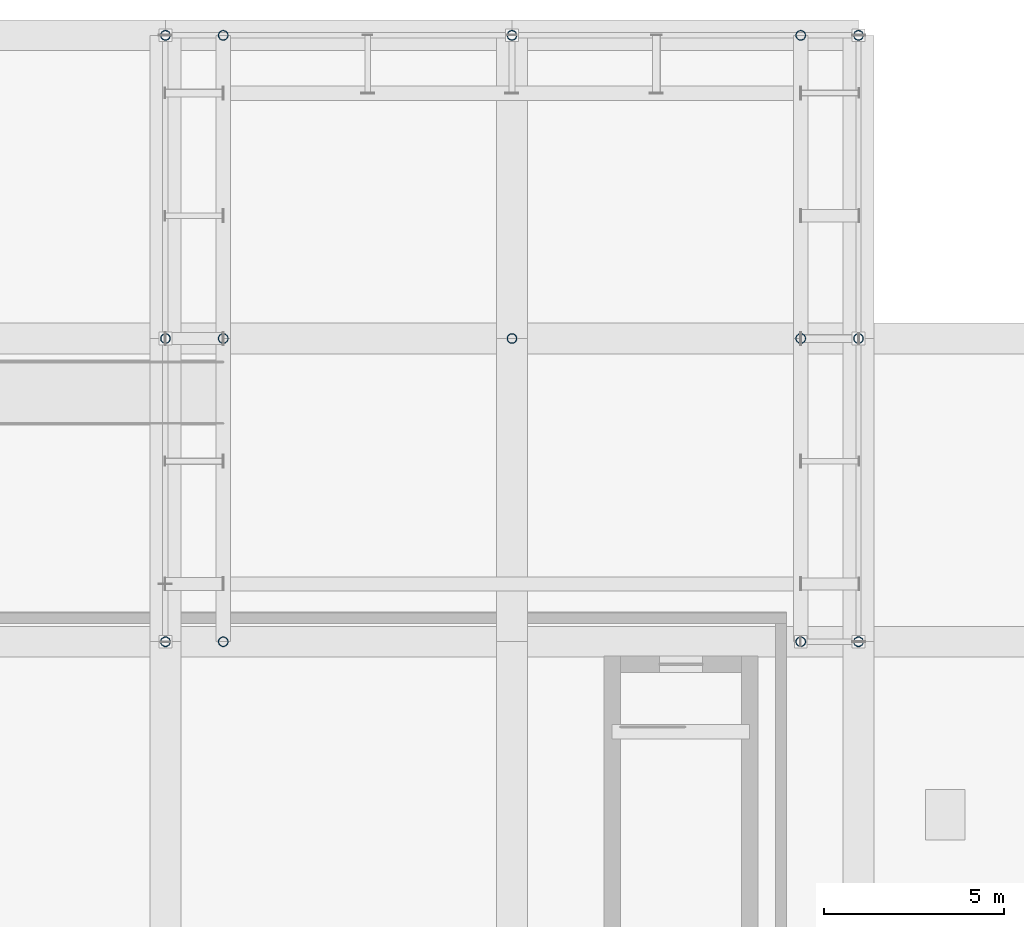
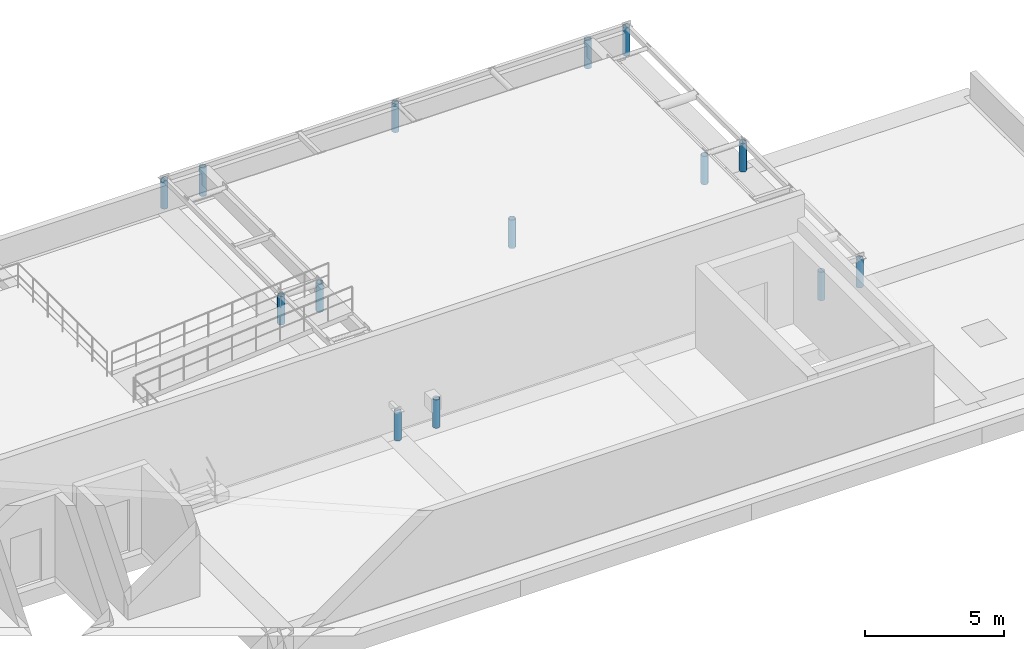
# One storey, part 2 of 8: 14 columns.
"""IFC4 building model written with IfcOpenShell, lengths in metres."""

from ifc_helpers import new_model, si_unit, direction, frame, origin, origin_2d, place, context, subcontext, project, spatial, hollow_circle, extrude, material, material_profile, profile_set, type_object, element, save


model = new_model("IFC4")

# Units and contexts
model_context = context("Model", 3, precision=1e-05, world=origin(), true_north=direction((0.0, 1.0)))
body_context = subcontext(model_context, "Body", "Model", "MODEL_VIEW")
ifc_project = project(units=[si_unit("LENGTHUNIT", "METRE"), si_unit("AREAUNIT", "SQUARE_METRE"), si_unit("VOLUMEUNIT", "CUBIC_METRE"), si_unit("PLANEANGLEUNIT", "RADIAN"), si_unit("MASSUNIT", "GRAM", prefix="KILO")], contexts=[model_context])

# Site, building, storey
site_placement = place(None, origin())
site = spatial("IfcSite", under=ifc_project, at=site_placement, CompositionType="ELEMENT")
building_placement = place(site_placement, origin())
building = spatial("IfcBuilding", under=site, at=building_placement, Name="Oolite Switchyard Hospital", CompositionType="ELEMENT")
storey_placement = place(building_placement, frame((0.0, 0.0, 34.60009765625)))
storey = spatial("IfcBuildingStorey", under=building, at=storey_placement, Name="RF", CompositionType="ELEMENT", Elevation=34.60009765625)

# Columns
ifc_material = material(Name="Steel ASTM A500 Grade C", Category="steel")
ifc_material_profile = material_profile(ifc_material, hollow_circle(Radius=0.136474609375, WallThickness=0.012939453125, at=origin_2d()), Name="HSS273X13")
ifc_profile_set = profile_set([ifc_material_profile], Name="Steel ASTM A500 Grade C")
column_type = type_object("IfcColumnType", Name="COL-CHS273", PredefinedType="COLUMN", material=ifc_profile_set)
for number, where, z_axis, x_axis, name in (
    (1, (182.39990234375, 117.60009765625, 0.0), (0.0, 0.0, 1.0), (1.0, 0.0, 0.0), "RF Helipad Support Post 1"),
    (2, (184.0, 117.60009765625, 0.0), (0.0, 0.0, 1.0), (1.0, 0.0, 0.0), "RF Helipad Support Post 2"),
    (3, (200.0, 117.60009765625, 0.0), (0.0, 0.0, 1.0), (1.0, 0.0, 0.0), "RF Helipad Support Post 3"),
    (4, (201.60009765625, 117.60009765625, 0.0), (0.0, 0.0, 1.0), (1.0, 0.0, 0.0), "RF Helipad Support Post 4"),
    (5, (182.39990234375, 126.0, 0.0), (0.0, 0.0, 1.0), (1.0, 0.0, 0.0), "RF Helipad Support Post 5"),
    (6, (184.0, 126.0, 0.0), (0.0, 0.0, 1.0), (1.0, 0.0, 0.0), "RF Helipad Support Post 6"),
    (7, (192.0, 126.0, 0.0), (0.0, 0.0, 1.0), (1.0, 0.0, 0.0), "RF Helipad Support Post 7"),
    (8, (200.0, 126.0, 0.0), (0.0, 0.0, 1.0), (1.0, 0.0, 0.0), "RF Helipad Support Post 8"),
    (9, (201.60009765625, 126.0, 0.0), (0.0, 0.0, 1.0), (1.0, 0.0, 0.0), "RF Helipad Support Post 9"),
    (10, (182.39990234375, 134.39990234375, 0.0), (0.0, 0.0, 1.0), (1.0, 0.0, 0.0), "RF Helipad Support Post 10"),
    (11, (184.0, 134.39990234375, 0.0), (0.0, 0.0, 1.0), (1.0, 0.0, 0.0), "RF Helipad Support Post 11"),
    (12, (192.0, 134.39990234375, 0.0), (0.0, 0.0, 1.0), (1.0, 0.0, 0.0), "RF Helipad Support Post 12"),
    (13, (200.0, 134.39990234375, 0.0), (0.0, 0.0, 1.0), (1.0, 0.0, 0.0), "RF Helipad Support Post 13"),
    (14, (201.60009765625, 134.39990234375, 0.0), (0.0, 0.0, 1.0), (1.0, 0.0, 0.0), "RF Helipad Support Post 14"),
):
    element("IfcColumn", number, at=place(storey_placement, frame(where, z_axis=z_axis, x_axis=x_axis)), inside=storey, type_object=column_type, Name=name, PredefinedType="COLUMN", context=body_context, shape_type="SweptSolid", body=[
        extrude(hollow_circle(Radius=0.136474609375, WallThickness=0.012939453125, at=origin_2d()), origin(), (0.0, 0.0, 1.0), 1.25),
    ])

save(model, "model.ifc")
